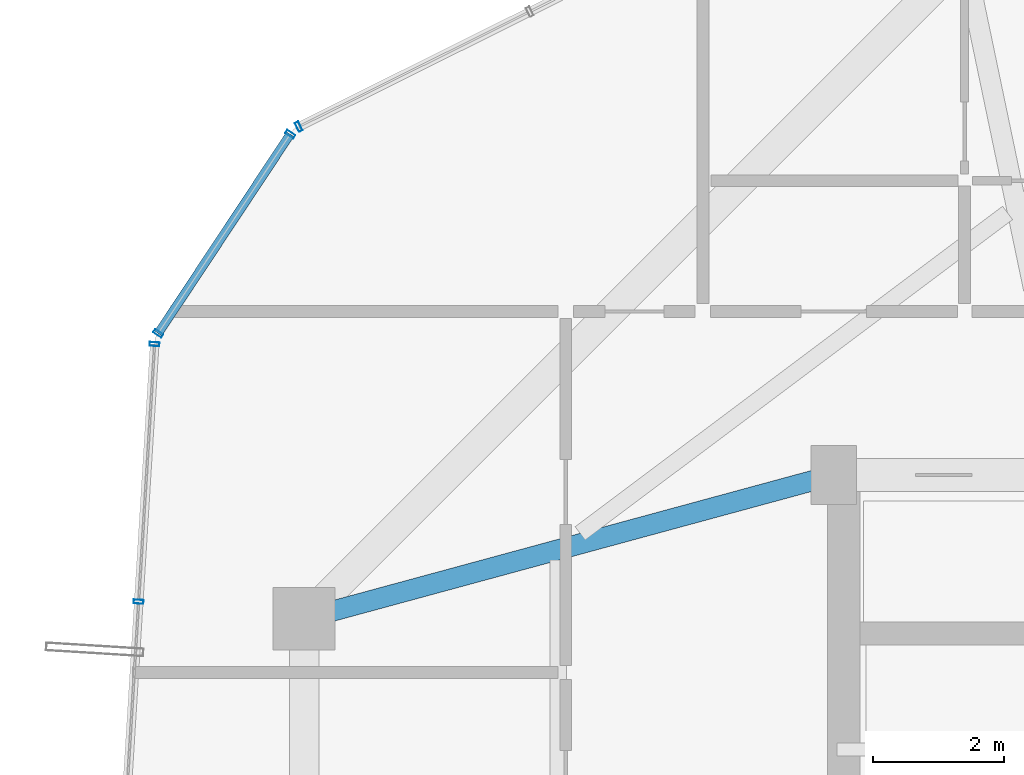
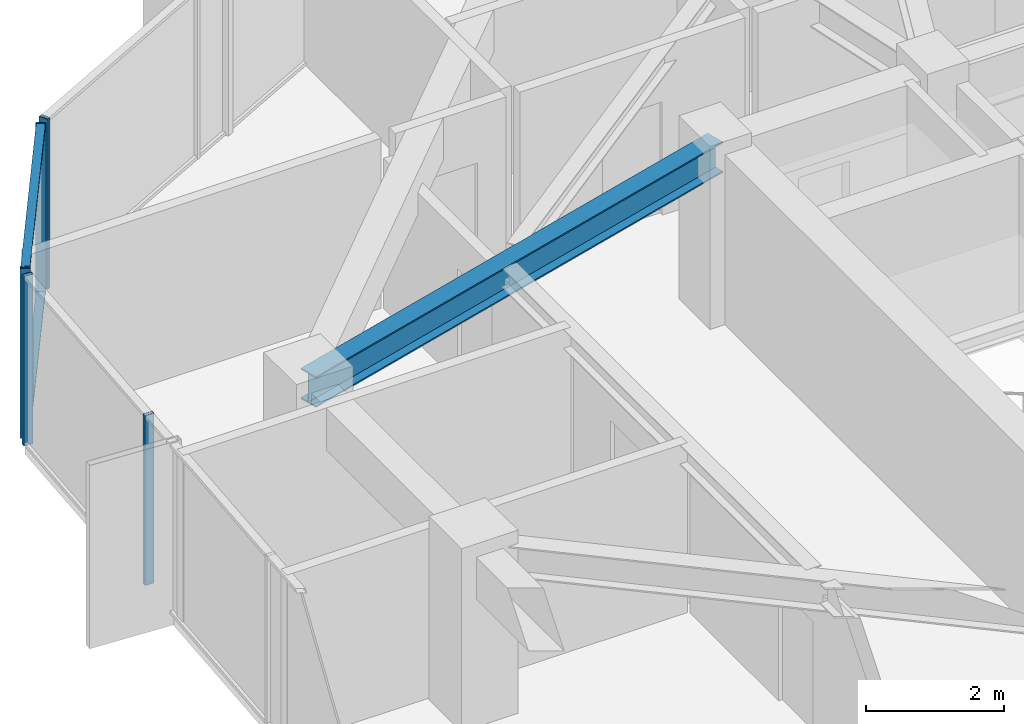
# One storey, part 12 of 29: 7 members, 1 beam, 3 elements without a shape of their own.
"""IFC4 building model written with IfcOpenShell, lengths in metres."""

import ifcopenshell
import ifcopenshell.guid

model = None  # the IFC model being written
_history = None  # IfcOwnerHistory: only IFC2X3 demands one
_inside = {}  # id of a spatial element -> (the spatial element, [elements in it])
_under = {}  # id of a project, library or spatial element -> (it, [spatial elements below it])
_declared = {}  # id of a project -> (the project, [libraries it declares])
_typed = {}  # id of a type object -> (the type object, [elements of that type])
_made_of = {}  # id of a material, layer set ... -> (it, [elements and type objects made of it])


def new_model(schema):
    """Start an empty IFC model of exactly this schema.

    Asked for "IFC4X3", IfcOpenShell would pick the latest addendum, in which some entities
    have other attributes; the version numbers below select the first issue.
    IFC2X3 requires an IfcOwnerHistory on every rooted entity: one is made here for all.
    """
    global model, _history
    if schema == "IFC4X3":
        model = ifcopenshell.file(schema_version=(4, 3, 0, 0))
    else:
        model = ifcopenshell.file(schema=schema)
    _inside.clear()
    _under.clear()
    _declared.clear()
    _typed.clear()
    _made_of.clear()
    _history = None
    if model.schema == "IFC2X3":
        org = make("IfcOrganization", Name="unknown")
        user = make(
            "IfcPersonAndOrganization",
            ThePerson=make("IfcPerson", FamilyName="unknown"),
            TheOrganization=org,
        )
        app = make(
            "IfcApplication",
            ApplicationDeveloper=org,
            Version="unknown",
            ApplicationFullName="unknown",
            ApplicationIdentifier="unknown",
        )
        _history = make(
            "IfcOwnerHistory",
            OwningUser=user,
            OwningApplication=app,
            ChangeAction="ADDED",
            CreationDate=0,
        )
    return model


def make(cls, **values):
    """One entity of the class cls with the attributes given. An attribute that is None is left unset."""
    return model.create_entity(
        cls, **{name: value for name, value in values.items() if value is not None}
    )


def rooted(cls, **values):
    """An entity with a GlobalId (a new one), such as an element, a storey or a relation."""
    return make(cls, GlobalId=ifcopenshell.guid.new(), OwnerHistory=_history, **values)


def si_unit(unit_type, name, prefix=None):
    """IfcSIUnit, for example si_unit("LENGTHUNIT", "METRE", prefix="MILLI")."""
    return make("IfcSIUnit", UnitType=unit_type, Prefix=prefix, Name=name)


def assignment(units):
    """IfcUnitAssignment: the units of a project."""
    return None if units is None else make("IfcUnitAssignment", Units=units)


def point(xyz):
    """IfcCartesianPoint."""
    return None if xyz is None else make("IfcCartesianPoint", Coordinates=xyz)


def direction(xyz):
    """IfcDirection."""
    return None if xyz is None else make("IfcDirection", DirectionRatios=xyz)


def frame(location, z_axis=None, x_axis=None):
    """IfcAxis2Placement3D, a coordinate frame: its origin and axes. An axis left out is left unset."""
    return make(
        "IfcAxis2Placement3D",
        Location=point(location),
        Axis=direction(z_axis),
        RefDirection=direction(x_axis),
    )


def frame_2d(location, x_axis=None):
    """IfcAxis2Placement2D, a coordinate frame in the plane: its origin and x axis."""
    return make(
        "IfcAxis2Placement2D", Location=point(location), RefDirection=direction(x_axis)
    )


def origin():
    """The frame at (0, 0, 0) with its axes left unset."""
    return frame((0.0, 0.0, 0.0))


def origin_2d():
    """The frame at (0, 0) in the plane with its x axis left unset."""
    return frame_2d((0.0, 0.0))


def place(relative_to, where):
    """IfcLocalPlacement: puts the frame where relative to a parent placement (None: the world)."""
    return make(
        "IfcLocalPlacement", PlacementRelTo=relative_to, RelativePlacement=where
    )


def context(
    kind, dimensions, precision=None, world=None, true_north=None, identifier=None
):
    """IfcGeometricRepresentationContext, for example the 3D "Model" context."""
    return make(
        "IfcGeometricRepresentationContext",
        ContextIdentifier=identifier,
        ContextType=kind,
        CoordinateSpaceDimension=dimensions,
        Precision=precision,
        WorldCoordinateSystem=world,
        TrueNorth=true_north,
    )


def subcontext(parent, identifier, kind, view, scale=None):
    """IfcGeometricRepresentationSubContext, for example "Body" below "Model"."""
    return make(
        "IfcGeometricRepresentationSubContext",
        ContextIdentifier=identifier,
        ContextType=kind,
        ParentContext=parent,
        TargetScale=scale,
        TargetView=view,
    )


def project(units=None, contexts=None):
    """IfcProject with its units and contexts."""
    return rooted(
        "IfcProject",
        Name="project",
        RepresentationContexts=contexts,
        UnitsInContext=assignment(units),
    )


def spatial(cls, under=None, at=None, **own):
    """A site, building, storey or space (cls), placed at a placement, below another one or the project."""
    s = rooted(cls, ObjectPlacement=at, **own)
    if under is not None:
        _under.setdefault(under.id(), (under, []))[1].append(s)
    return s


def profile(cls, at=None, kind="AREA", **sizes):
    """A parametric profile (cls). Its sizes go by their IFC names, for example OverallWidth=200.0."""
    return make(cls, ProfileType=kind, Position=at, **sizes)


def hollow_rectangle(**sizes):
    """IfcRectangleHollowProfileDef."""
    return profile("IfcRectangleHollowProfileDef", **sizes)


def i_section(**sizes):
    """IfcIShapeProfileDef."""
    return profile("IfcIShapeProfileDef", **sizes)


def extrude(swept, where, along, depth):
    """IfcExtrudedAreaSolid: the profile swept, set in the frame where, extruded along a direction by depth."""
    return make(
        "IfcExtrudedAreaSolid",
        SweptArea=swept,
        Position=where,
        ExtrudedDirection=direction(along),
        Depth=depth,
    )


def shape(context_of_items, identifier, shape_type, items):
    """IfcShapeRepresentation: the items that make up one representation, for example the "Body"."""
    return make(
        "IfcShapeRepresentation",
        ContextOfItems=context_of_items,
        RepresentationIdentifier=identifier,
        RepresentationType=shape_type,
        Items=items,
    )


def source(mapping_origin, context_of_items, identifier, shape_type, items):
    """IfcRepresentationMap: a shape defined once, which mapped items show again and again."""
    return make(
        "IfcRepresentationMap",
        MappingOrigin=mapping_origin,
        MappedRepresentation=shape(context_of_items, identifier, shape_type, items),
    )


def transform(
    local_origin,
    x_axis=None,
    y_axis=None,
    z_axis=None,
    scale=None,
    scale2=None,
    scale3=None,
    uniform=True,
):
    """IfcCartesianTransformationOperator3D, or its non-uniform kind. x_axis, y_axis, z_axis: its Axis1, 2, 3."""
    if uniform:
        return make(
            "IfcCartesianTransformationOperator3D",
            Axis1=direction(x_axis),
            Axis2=direction(y_axis),
            LocalOrigin=point(local_origin),
            Scale=scale,
            Axis3=direction(z_axis),
        )
    return make(
        "IfcCartesianTransformationOperator3DnonUniform",
        Axis1=direction(x_axis),
        Axis2=direction(y_axis),
        LocalOrigin=point(local_origin),
        Scale=scale,
        Axis3=direction(z_axis),
        Scale2=scale2,
        Scale3=scale3,
    )


def mapped(mapping_source, mapping_target):
    """IfcMappedItem: shows the shape of a source again, moved by a transform."""
    return make(
        "IfcMappedItem", MappingSource=mapping_source, MappingTarget=mapping_target
    )


def material(Name=None, Category=None):
    """IfcMaterial."""
    return make("IfcMaterial", Name=Name, Category=Category)


def layer(
    of_material, thickness, ventilated=None, Name=None, Category=None, Priority=None
):
    """IfcMaterialLayer: one layer of a wall or slab, of a material (None: an air gap)."""
    return make(
        "IfcMaterialLayer",
        Material=of_material,
        LayerThickness=thickness,
        IsVentilated=ventilated,
        Name=Name,
        Category=Category,
        Priority=Priority,
    )


def layer_set(layers, Name=None):
    """IfcMaterialLayerSet."""
    return make("IfcMaterialLayerSet", MaterialLayers=layers, LayerSetName=Name)


def material_profile(
    of_material, cross_section, Name=None, Category=None, Priority=None
):
    """IfcMaterialProfile: a cross section and its material."""
    return make(
        "IfcMaterialProfile",
        Name=Name,
        Material=of_material,
        Profile=cross_section,
        Priority=Priority,
        Category=Category,
    )


def profile_set(profiles, Name=None, composite=None):
    """IfcMaterialProfileSet."""
    return make(
        "IfcMaterialProfileSet",
        Name=Name,
        MaterialProfiles=profiles,
        CompositeProfile=composite,
    )


def made_of(thing, what):
    """Note that an element or type object is made of a material, layer set ...; save() writes the relation."""
    if what is not None:
        _made_of.setdefault(what.id(), (what, []))[1].append(thing)
    return thing


def type_object(cls, material=None, **own):
    """A type object (cls), such as IfcWallType, which elements share."""
    return made_of(rooted(cls, **own), material)


def element(
    cls,
    number,
    at=None,
    inside=None,
    cuts=None,
    type_object=None,
    material=None,
    context=None,
    identifier="Body",
    shape_type=None,
    held_by="IfcProductDefinitionShape",
    body=None,
    shapes=None,
    **own,
):
    """One element of the class cls, such as IfcWall. Its Tag is "e" and its number.

    at: its placement. inside: the storey or other place that contains it. cuts: it is an
    opening in that element (IfcRelVoidsElement). A single representation is given by context,
    identifier, shape_type and body (its items); several are given by shapes. held_by: the class
    of the entity that holds the representations. save() writes the other relations.
    """
    e = rooted(cls, Tag="e%d" % number, ObjectPlacement=at, **own)
    if body is not None:
        shapes = [shape(context, identifier, shape_type, body)]
    if shapes is not None:
        e.Representation = make(held_by, Representations=shapes)
    if inside is not None:
        _inside.setdefault(inside.id(), (inside, []))[1].append(e)
    if cuts is not None:
        rooted(
            "IfcRelVoidsElement", RelatingBuildingElement=cuts, RelatedOpeningElement=e
        )
    if type_object is not None:
        _typed.setdefault(type_object.id(), (type_object, []))[1].append(e)
    return made_of(e, material)


def aggregate(whole, parts):
    """IfcRelAggregates: a whole, such as a stair, and the parts it consists of."""
    return rooted("IfcRelAggregates", RelatingObject=whole, RelatedObjects=parts)


def save(model, path):
    """Write the relations noted so far, then the file.

    IfcRelAggregates (storeys below a building ...), IfcRelContainedInSpatialStructure (elements
    in a storey), IfcRelDefinesByType, IfcRelAssociatesMaterial and IfcRelDeclares: one each for
    every whole, place, type object, material and project.
    """
    for whole, parts in _under.values():
        aggregate(whole, parts)
    for where, things in _inside.values():
        rooted(
            "IfcRelContainedInSpatialStructure",
            RelatedElements=things,
            RelatingStructure=where,
        )
    for kind, things in _typed.values():
        rooted("IfcRelDefinesByType", RelatedObjects=things, RelatingType=kind)
    for what, things in _made_of.values():
        rooted("IfcRelAssociatesMaterial", RelatedObjects=things, RelatingMaterial=what)
    for by, libraries in _declared.values():
        rooted("IfcRelDeclares", RelatingContext=by, RelatedDefinitions=libraries)
    model.write(path)


model = new_model("IFC4")

# Units and contexts
model_context = context("Model", 3, precision=1e-05, world=origin(), true_north=direction((0.0, 1.0)))
body_context = subcontext(model_context, "Body", "Model", "MODEL_VIEW")
ifc_project = project(units=[si_unit("LENGTHUNIT", "METRE"), si_unit("AREAUNIT", "SQUARE_METRE"), si_unit("VOLUMEUNIT", "CUBIC_METRE"), si_unit("PLANEANGLEUNIT", "RADIAN"), si_unit("MASSUNIT", "GRAM", prefix="KILO")], contexts=[model_context])

# Site, building, storey
site_placement = place(None, origin())
site = spatial("IfcSite", under=ifc_project, at=site_placement, CompositionType="ELEMENT")
building_placement = place(site_placement, origin())
building = spatial("IfcBuilding", under=site, at=building_placement, Name="Veraguas Prism Commons", CompositionType="ELEMENT")
storey_placement = place(building_placement, frame((0.0, 0.0, 218.89990234375)))
storey = spatial("IfcBuildingStorey", under=building, at=storey_placement, Name="L62", CompositionType="ELEMENT", Elevation=218.89990234375)

# Beam
ifc_material_1 = material(Name="Steel ASTM A992 Grade 50", Category="steel")
ifc_material_profile_1 = material_profile(ifc_material_1, i_section(OverallWidth=0.31103515625, OverallDepth=0.5458984375, WebThickness=0.0146484375, FlangeThickness=0.023681640625, at=origin_2d()), Name="W530X165")
ifc_profile_set_1 = profile_set([ifc_material_profile_1], Name="Steel ASTM A992 Grade 50")
beam_type = type_object("IfcBeamType", Name="Zone 3 Radial Girder W530x165", PredefinedType="BEAM", material=ifc_profile_set_1)
beam_placement = place(storey_placement, frame((9.10009765625, 28.800048828125, 2.7421875), z_axis=(0.965038506703, 0.262108146725, 0.0), x_axis=(-0.262108146725, 0.965038506703, 0.0)))
element("IfcBeam", 1, at=beam_placement, inside=storey, type_object=beam_type, Name="Radial Floor Girder L62-RD07", PredefinedType="BEAM", context=body_context, shape_type="SweptSolid", body=[
    extrude(i_section(OverallWidth=0.31103515625, OverallDepth=0.5458984375, WebThickness=0.0146484375, FlangeThickness=0.023681640625, at=origin_2d()), origin(), (0.0, 0.0, 1.0), 8.393310546875),
])

# Curtain wall, members
ifc_material_2 = material(Name="Anodised aluminium EN AW-6063 T6", Category="aluminium")
ifc_layer = layer(ifc_material_2, 0.14990234375, Name="Unitised Flush Curtain Wall Zone 3", Category="aluminium")
ifc_layer_set = layer_set([ifc_layer], Name="Anodised aluminium EN AW-6063 T6")
curtain_wall_type = type_object("IfcCurtainWallType", Name="Unitised Flush Curtain Wall Zone 3", PredefinedType="NOTDEFINED", material=ifc_layer_set)
curtain_wall_1_placement = place(storey_placement, origin())
curtain_wall_1 = element("IfcCurtainWall", 2, at=curtain_wall_1_placement, inside=storey, type_object=curtain_wall_type, Name="Chamfer Curtain Wall L62-C3", PredefinedType="NOTDEFINED")
ifc_material_profile_2 = material_profile(ifc_material_2, hollow_rectangle(XDim=0.054931640625, YDim=0.135009765625, WallThickness=0.0029296875, at=origin_2d()), Name="AL55X135X3")
ifc_profile_set_2 = profile_set([ifc_material_profile_2], Name="Anodised aluminium EN AW-6063 T6")
member_type_1 = type_object("IfcMemberType", Name="Curtain Wall Transom Standard AL 55x135x3", PredefinedType="USERDEFINED", material=ifc_profile_set_2)
shared_shape_1 = source(origin(), body_context, "Body", "SweptSolid", [
    extrude(hollow_rectangle(XDim=0.054931640625, YDim=0.135009765625, WallThickness=0.0029296875, at=origin_2d()), origin(), (0.0, 0.0, 1.0), 3.654296875),
])
member_1_placement = place(storey_placement, frame((8.886962890625, 36.21044921875, 0.027587890625), z_axis=(-0.552509002217, -0.833506930067, 0.0), x_axis=(0.0, 0.0, 1.0)))
member_1 = element("IfcMember", 3, at=member_1_placement, type_object=member_type_1, Name="CW-Z3 Transom 1", ObjectType="TRANSOM", PredefinedType="USERDEFINED", context=body_context, shape_type="MappedRepresentation", body=[
    mapped(shared_shape_1, transform((0.0, 0.0, 0.0), scale=1.0)),
])
member_2_placement = place(storey_placement, frame((8.886962890625, 36.21044921875, 2.987548828125), z_axis=(-0.552509002217, -0.833506930067, 0.0), x_axis=(0.0, 0.0, 1.0)))
member_2 = element("IfcMember", 4, at=member_2_placement, type_object=member_type_1, Name="CW-Z3 Transom 2", ObjectType="TRANSOM", PredefinedType="USERDEFINED", context=body_context, shape_type="MappedRepresentation", body=[
    mapped(shared_shape_1, transform((0.0, 0.0, 0.0), scale=1.0)),
])

# Curtain wall, member
curtain_wall_2_placement = place(storey_placement, origin())
curtain_wall_2 = element("IfcCurtainWall", 5, at=curtain_wall_2_placement, inside=storey, type_object=curtain_wall_type, Name="Tower Facade Curtain Wall L62-F2", PredefinedType="NOTDEFINED")
ifc_material_profile_3 = material_profile(ifc_material_2, hollow_rectangle(XDim=0.06005859375, YDim=0.14990234375, WallThickness=0.0029296875, at=origin_2d()), Name="AL60X150X3")
ifc_profile_set_3 = profile_set([ifc_material_profile_3], Name="Anodised aluminium EN AW-6063 T6")
member_type_2 = type_object("IfcMemberType", Name="Curtain Wall Mullion Upper AL 60x150x3", PredefinedType="MULLION", material=ifc_profile_set_3)
shared_shape_2 = source(origin(), body_context, "Body", "SweptSolid", [
    extrude(hollow_rectangle(XDim=0.06005859375, YDim=0.14990234375, WallThickness=0.0029296875, at=origin_2d()), origin(), (0.0, 0.0, 1.0), 3.01513671875),
])
member_3_placement = place(storey_placement, frame((9.017333984375, 36.325439453125, 0.0), z_axis=(0.0, 0.0, 1.0), x_axis=(-0.895243315298, -0.445577609866, 0.0)))
member_3 = element("IfcMember", 6, at=member_3_placement, type_object=member_type_2, Name="CW-Z3 Mullion 5", PredefinedType="MULLION", context=body_context, shape_type="MappedRepresentation", body=[
    mapped(shared_shape_2, transform((0.0, 0.0, 0.0), scale=1.0)),
])
aggregate(curtain_wall_2, [member_3])

# Curtain wall, members
curtain_wall_3_placement = place(storey_placement, origin())
curtain_wall_3 = element("IfcCurtainWall", 7, at=curtain_wall_3_placement, inside=storey, type_object=curtain_wall_type, Name="Tower Facade Curtain Wall L62-F3", PredefinedType="NOTDEFINED")
member_4_placement = place(storey_placement, frame((6.812744140625, 32.999755859375, 0.0), z_axis=(0.0, 0.0, 1.0), x_axis=(-0.061745354146, -0.998091935265, 0.0)))
member_4 = element("IfcMember", 8, at=member_4_placement, type_object=member_type_2, Name="CW-Z3 Mullion 1", PredefinedType="MULLION", context=body_context, shape_type="MappedRepresentation", body=[
    mapped(shared_shape_2, transform((0.0, 0.0, 0.0), scale=1.0)),
])
member_5_placement = place(storey_placement, frame((6.569091796875, 29.0615234375, 0.0), z_axis=(0.0, 0.0, 1.0), x_axis=(-0.061745354146, -0.998091935265, 0.0)))
member_5 = element("IfcMember", 9, at=member_5_placement, type_object=member_type_2, Name="CW-Z3 Mullion 2", PredefinedType="MULLION", context=body_context, shape_type="MappedRepresentation", body=[
    mapped(shared_shape_2, transform((0.0, 0.0, 0.0), scale=1.0)),
])
aggregate(curtain_wall_3, [member_4, member_5])

# Member
member_6_placement = place(storey_placement, frame((8.886962890625, 36.21044921875, 0.0), z_axis=(0.0, 0.0, 1.0), x_axis=(-0.552511739205, -0.833505115786, 0.0)))
member_6 = element("IfcMember", 10, at=member_6_placement, type_object=member_type_2, Name="CW-Z3 Mullion 1", PredefinedType="MULLION", context=body_context, shape_type="MappedRepresentation", body=[
    mapped(shared_shape_2, transform((0.0, 0.0, 0.0), scale=1.0)),
])

member_7_placement = place(storey_placement, frame((6.867919921875, 33.16455078125, 0.0), z_axis=(0.0, 0.0, 1.0), x_axis=(-0.552511739205, -0.833505115786, 0.0)))
member_7 = element("IfcMember", 11, at=member_7_placement, type_object=member_type_2, Name="CW-Z3 Mullion 2", PredefinedType="MULLION", context=body_context, shape_type="MappedRepresentation", body=[
    mapped(shared_shape_2, transform((0.0, 0.0, 0.0), scale=1.0)),
])

aggregate(curtain_wall_1, [member_6, member_7, member_1, member_2])

save(model, "model.ifc")
